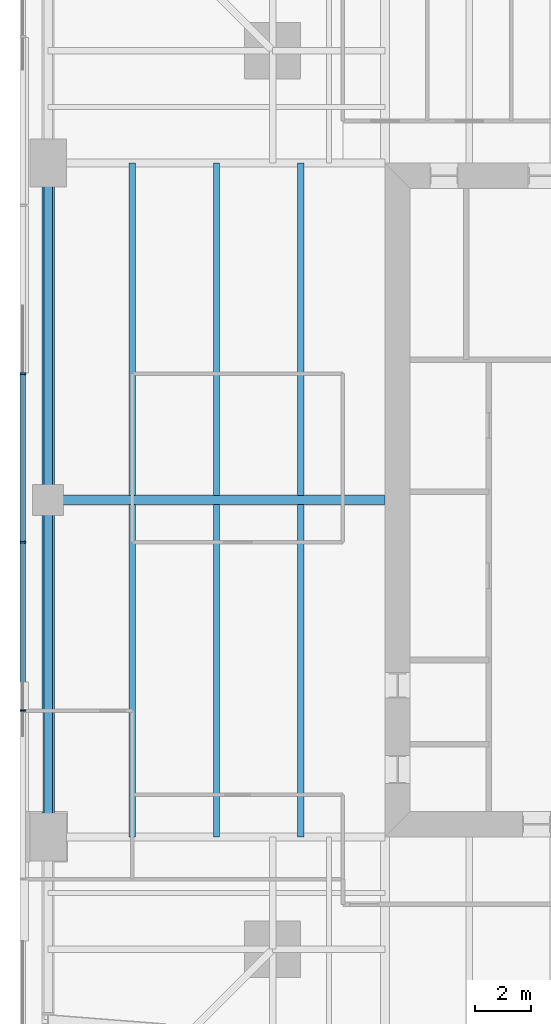
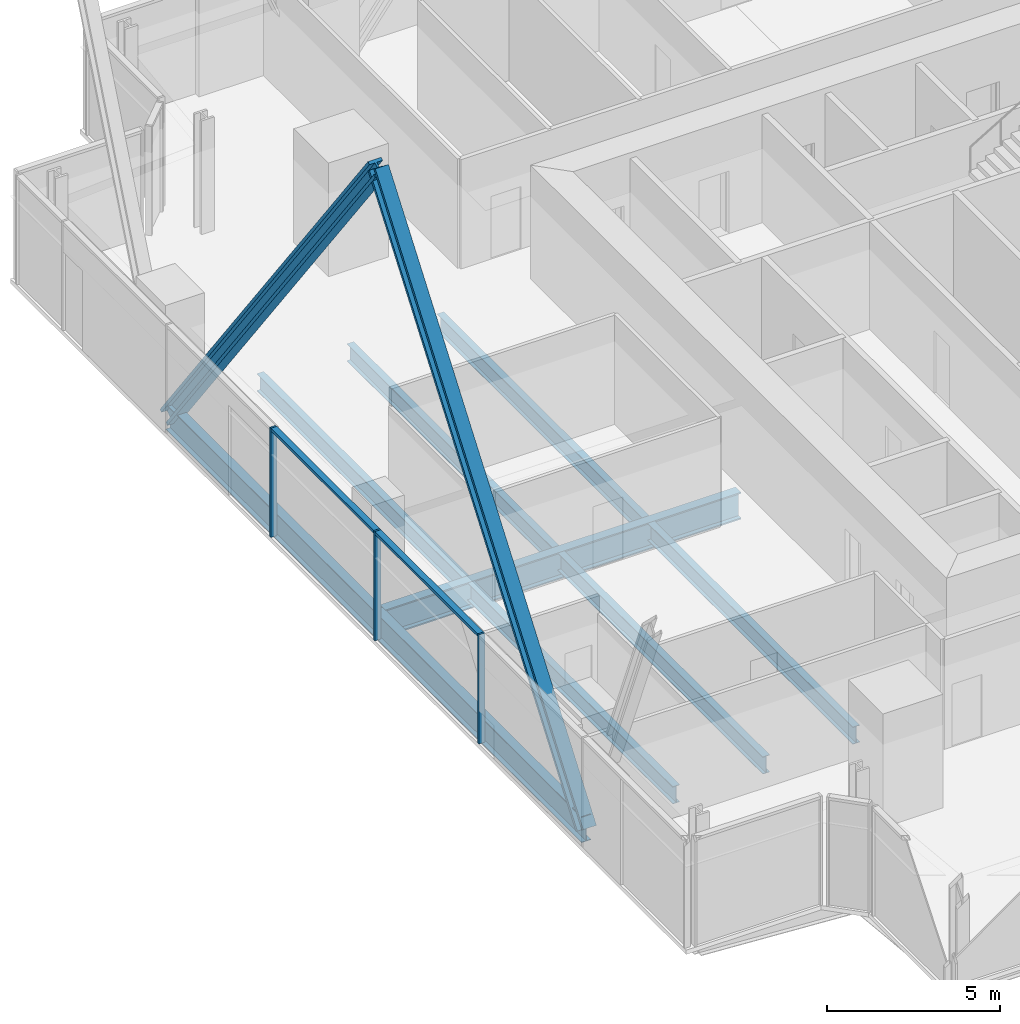
# One storey, part 4 of 13: 9 beams, 7 members, 1 element without a shape of its own.
"""IFC4 building model written with IfcOpenShell, lengths in metres."""

from ifc_helpers import new_model, si_unit, direction, frame, origin, origin_2d, place, context, subcontext, project, spatial, rectangle, i_section, extrude, material, material_profile, profile_set, type_object, element, aggregate, save


model = new_model("IFC4")

# Units and contexts
model_context = context("Model", 3, precision=1e-05, world=origin(), true_north=direction((0.0, 1.0)))
body_context = subcontext(model_context, "Body", "Model", "MODEL_VIEW")
ifc_project = project(units=[si_unit("LENGTHUNIT", "METRE"), si_unit("AREAUNIT", "SQUARE_METRE"), si_unit("VOLUMEUNIT", "CUBIC_METRE"), si_unit("PLANEANGLEUNIT", "RADIAN"), si_unit("MASSUNIT", "GRAM", prefix="KILO")], contexts=[model_context])

# Site, building, storey
site_placement = place(None, origin())
site = spatial("IfcSite", under=ifc_project, at=site_placement, CompositionType="ELEMENT")
building_placement = place(site_placement, origin())
building = spatial("IfcBuilding", under=site, at=building_placement, Name="Fenwick Lantern Interchange", CompositionType="ELEMENT")
storey_placement = place(building_placement, frame((0.0, 0.0, 201.800048828125)))
storey = spatial("IfcBuildingStorey", under=building, at=storey_placement, Name="L47", CompositionType="ELEMENT", Elevation=201.800048828125)

# Beams
ifc_material_1 = material(Name="Steel ASTM A992 Grade 50", Category="steel")
ifc_material_profile_1 = material_profile(ifc_material_1, i_section(OverallWidth=0.3046875, OverallDepth=0.911865234375, WebThickness=0.015869140625, FlangeThickness=0.02392578125, at=origin_2d()), Name="W36X150")
ifc_profile_set_1 = profile_set([ifc_material_profile_1], Name="Steel ASTM A992 Grade 50")
beam_type_1 = type_object("IfcBeamType", Name="EDGE BEAM W36X150", PredefinedType="SPANDREL", material=ifc_profile_set_1)
for number, where, z_axis, x_axis, name in (
    (1, (1.0, 37.0, -0.60595703125), (0.0, -1.0, 0.0), (1.0, 0.0, 0.0), "L47/FR/W/EB2"),
    (2, (1.0, 25.0, -0.60595703125), (0.0, -1.0, 0.0), (1.0, 0.0, 0.0), "L47/FR/W/EB3"),
):
    element("IfcBeam", number, at=place(storey_placement, frame(where, z_axis=z_axis, x_axis=x_axis)), inside=storey, type_object=beam_type_1, Name=name, PredefinedType="SPANDREL", context=body_context, shape_type="SweptSolid", body=[
        extrude(i_section(OverallWidth=0.3046875, OverallDepth=0.911865234375, WebThickness=0.015869140625, FlangeThickness=0.02392578125, at=origin_2d()), origin(), (0.0, 0.0, 1.0), 12.0),
    ])

# Members
ifc_material_profile_2 = material_profile(ifc_material_1, i_section(OverallWidth=0.44189453125, OverallDepth=0.53076171875, WebThickness=0.06591796875, FlangeThickness=0.105712890625, at=origin_2d()), Name="W14X605")
ifc_profile_set_2 = profile_set([ifc_material_profile_2], Name="Steel ASTM A992 Grade 50")
member_type_1 = type_object("IfcMemberType", Name="FACADE BRACE W14X605", PredefinedType="BRACE", material=ifc_profile_set_2)
for number, where, z_axis, x_axis, name in (
    (3, (1.0, 37.0, -0.60595703125), (0.0, -0.6, 0.8), (1.0, 0.0, 0.0), "L47/FB/W/A"),
    (4, (1.0, 13.0, -0.60595703125), (0.0, 0.6, 0.8), (-1.0, 0.0, 0.0), "L47/FB/W/B"),
):
    element("IfcMember", number, at=place(storey_placement, frame(where, z_axis=z_axis, x_axis=x_axis)), inside=storey, type_object=member_type_1, Name=name, PredefinedType="BRACE", context=body_context, shape_type="SweptSolid", body=[
        extrude(i_section(OverallWidth=0.44189453125, OverallDepth=0.53076171875, WebThickness=0.06591796875, FlangeThickness=0.105712890625, at=origin_2d()), origin(), (0.0, 0.0, 1.0), 20.0),
    ])

# Beams
ifc_material_profile_3 = material_profile(ifc_material_1, i_section(OverallWidth=0.22900390625, OverallDepth=0.612060546875, WebThickness=0.011962890625, FlangeThickness=0.01953125, at=origin_2d()), Name="W24X84")
ifc_profile_set_3 = profile_set([ifc_material_profile_3], Name="Steel ASTM A992 Grade 50")
beam_type_2 = type_object("IfcBeamType", Name="FLOOR BEAM W24X84", PredefinedType="BEAM", material=ifc_profile_set_3)
for number, where, z_axis, x_axis, name in (
    (5, (4.0, 37.0, -0.4560546875), (0.0, -1.0, 0.0), (1.0, 0.0, 0.0), "L47/FR/W/B01"),
    (6, (7.0, 37.0, -0.4560546875), (0.0, -1.0, 0.0), (1.0, 0.0, 0.0), "L47/FR/W/B02"),
    (7, (10.0, 37.0, -0.4560546875), (0.0, -1.0, 0.0), (1.0, 0.0, 0.0), "L47/FR/W/B03"),
    (8, (4.0, 24.844970703125, -0.4560546875), (0.0, -1.0, 0.0), (1.0, 0.0, 0.0), "L47/FR/W/B04"),
    (9, (7.0, 24.844970703125, -0.4560546875), (0.0, -1.0, 0.0), (1.0, 0.0, 0.0), "L47/FR/W/B05"),
    (10, (10.0, 24.844970703125, -0.4560546875), (0.0, -1.0, 0.0), (1.0, 0.0, 0.0), "L47/FR/W/B06"),
):
    element("IfcBeam", number, at=place(storey_placement, frame(where, z_axis=z_axis, x_axis=x_axis)), inside=storey, type_object=beam_type_2, Name=name, PredefinedType="BEAM", context=body_context, shape_type="SweptSolid", body=[
        extrude(i_section(OverallWidth=0.22900390625, OverallDepth=0.612060546875, WebThickness=0.011962890625, FlangeThickness=0.01953125, at=origin_2d()), origin(), (0.0, 0.0, 1.0), 11.844970703125),
    ])
ifc_material_profile_4 = material_profile(ifc_material_1, i_section(OverallWidth=0.309814453125, OverallDepth=0.949951171875, WebThickness=0.0244140625, FlangeThickness=0.0439453125, at=origin_2d()), Name="W36X256")
ifc_profile_set_4 = profile_set([ifc_material_profile_4], Name="Steel ASTM A992 Grade 50")
beam_type_3 = type_object("IfcBeamType", Name="MOMENT-CONNECTED GIRDER W36X256", PredefinedType="BEAM", material=ifc_profile_set_4)
beam_placement = place(storey_placement, frame((1.0, 25.0, -0.625), z_axis=(1.0, 0.0, 0.0), x_axis=(0.0, 1.0, 0.0)))
element("IfcBeam", 11, at=beam_placement, inside=storey, type_object=beam_type_3, Name="L47/FR/W/R02", PredefinedType="BEAM", context=body_context, shape_type="SweptSolid", body=[
    extrude(i_section(OverallWidth=0.309814453125, OverallDepth=0.949951171875, WebThickness=0.0244140625, FlangeThickness=0.0439453125, at=origin_2d()), origin(), (0.0, 0.0, 1.0), 12.0),
])

# Curtain wall, members
ifc_material_2 = material(Name="Aluminium curtain wall frame", Category="aluminium")
curtain_wall_type = type_object("IfcCurtainWallType", Name="OFFICE CURTAIN WALL", PredefinedType="USERDEFINED", material=ifc_material_2)
curtain_wall_placement = place(storey_placement, origin())
curtain_wall = element("IfcCurtainWall", 12, at=curtain_wall_placement, inside=storey, type_object=curtain_wall_type, Name="Office curtain wall 13", ObjectType="OFFICE CURTAIN WALL", PredefinedType="USERDEFINED")
ifc_material_3 = material(Name="Aluminium extrusion", Category="aluminium")
ifc_material_profile_5 = material_profile(ifc_material_3, rectangle(XDim=0.199951171875, YDim=0.06494140625, at=origin_2d()), Name="OFFICE CURTAIN WALL MULLION 65 X 200")
ifc_profile_set_5 = profile_set([ifc_material_profile_5], Name="Aluminium extrusion")
member_type_2 = type_object("IfcMemberType", Name="OFFICE CURTAIN WALL MULLION 65 X 200", PredefinedType="MULLION", material=ifc_profile_set_5)
member_1_placement = place(storey_placement, frame((0.10009765625, 29.5, 0.0), z_axis=(0.0, 0.0, 1.0), x_axis=(1.0, 0.0, 0.0)))
member_1 = element("IfcMember", 13, at=member_1_placement, type_object=member_type_2, Name="L47/CW/13/M03", PredefinedType="MULLION", context=body_context, shape_type="SweptSolid", body=[
    extrude(rectangle(XDim=0.199951171875, YDim=0.06494140625, at=origin_2d()), origin(), (0.0, 0.0, 1.0), 3.849853515625),
])
member_2_placement = place(storey_placement, frame((0.10009765625, 23.5, 0.0), z_axis=(0.0, 0.0, 1.0), x_axis=(1.0, 0.0, 0.0)))
member_2 = element("IfcMember", 14, at=member_2_placement, type_object=member_type_2, Name="L47/CW/13/M04", PredefinedType="MULLION", context=body_context, shape_type="SweptSolid", body=[
    extrude(rectangle(XDim=0.199951171875, YDim=0.06494140625, at=origin_2d()), origin(), (0.0, 0.0, 1.0), 3.849853515625),
])
member_3_placement = place(storey_placement, frame((0.10009765625, 17.5, 0.0), z_axis=(0.0, 0.0, 1.0), x_axis=(1.0, 0.0, 0.0)))
member_3 = element("IfcMember", 15, at=member_3_placement, type_object=member_type_2, Name="L47/CW/13/M05", PredefinedType="MULLION", context=body_context, shape_type="SweptSolid", body=[
    extrude(rectangle(XDim=0.199951171875, YDim=0.06494140625, at=origin_2d()), origin(), (0.0, 0.0, 1.0), 3.849853515625),
])
ifc_material_profile_6 = material_profile(ifc_material_3, rectangle(XDim=0.199951171875, YDim=0.10009765625, at=origin_2d()), Name="OFFICE CURTAIN WALL TRANSOM 100 X 200")
ifc_profile_set_6 = profile_set([ifc_material_profile_6], Name="Aluminium extrusion")
member_type_3 = type_object("IfcMemberType", Name="OFFICE CURTAIN WALL TRANSOM 100 X 200", PredefinedType="MULLION", material=ifc_profile_set_6)
member_4_placement = place(storey_placement, frame((0.10009765625, 29.467529296875, 3.800048828125), z_axis=(0.0, -1.0, 0.0), x_axis=(1.0, 0.0, 0.0)))
member_4 = element("IfcMember", 16, at=member_4_placement, type_object=member_type_3, Name="L47/CW/13/T03", PredefinedType="MULLION", context=body_context, shape_type="SweptSolid", body=[
    extrude(rectangle(XDim=0.199951171875, YDim=0.10009765625, at=origin_2d()), origin(), (0.0, 0.0, 1.0), 5.93505859375),
])
member_5_placement = place(storey_placement, frame((0.10009765625, 23.467529296875, 3.800048828125), z_axis=(0.0, -1.0, 0.0), x_axis=(1.0, 0.0, 0.0)))
member_5 = element("IfcMember", 17, at=member_5_placement, type_object=member_type_3, Name="L47/CW/13/T04", PredefinedType="MULLION", context=body_context, shape_type="SweptSolid", body=[
    extrude(rectangle(XDim=0.199951171875, YDim=0.10009765625, at=origin_2d()), origin(), (0.0, 0.0, 1.0), 5.93505859375),
])
aggregate(curtain_wall, [member_1, member_2, member_3, member_4, member_5])

save(model, "model.ifc")
